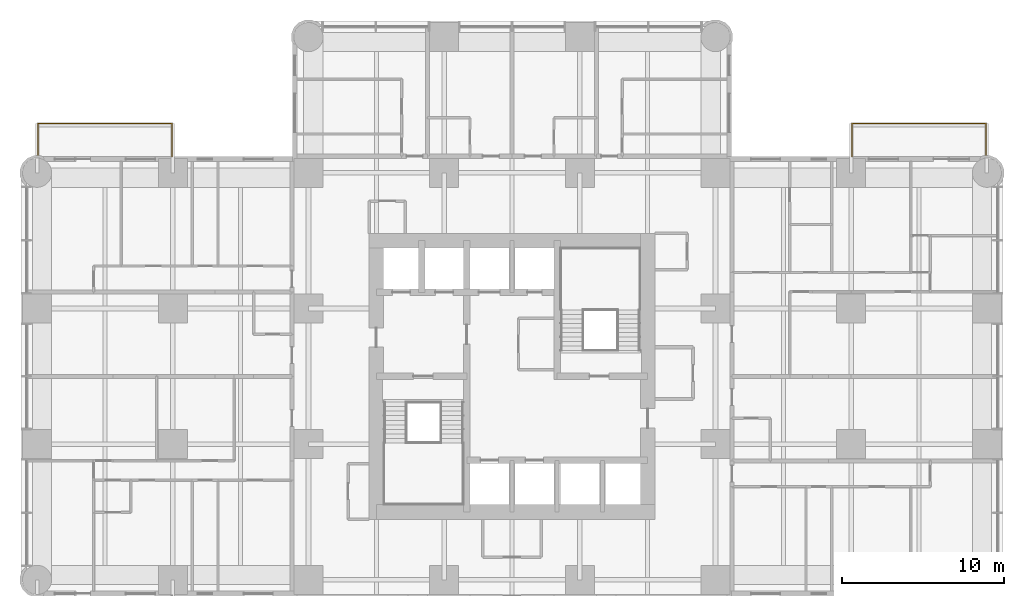
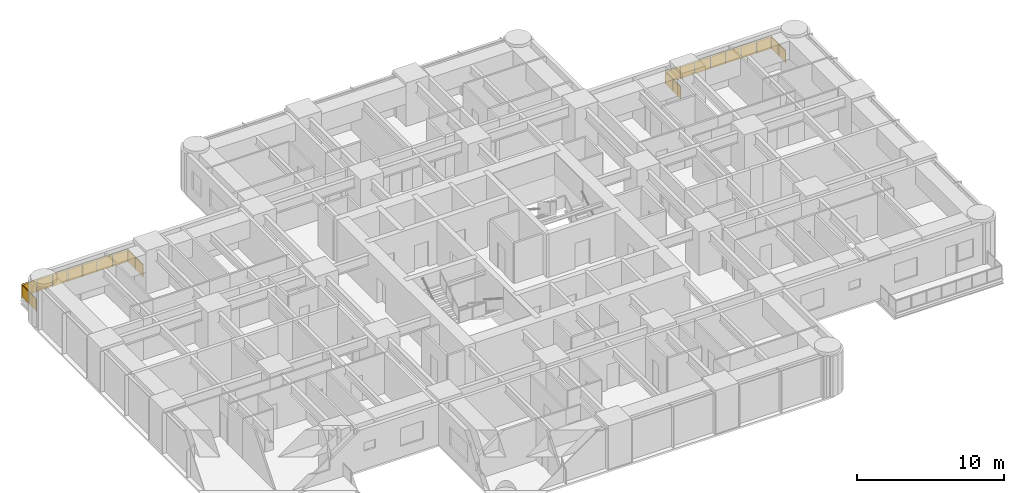
# One storey, part 14 of 14: 2 railings.
"""IFC4 building model written with IfcOpenShell, lengths in metres."""

from ifc_helpers import new_model, si_unit, direction, frame, origin, origin_2d, place, context, subcontext, project, spatial, polyline, circle, outline, extrude, material, constituent, constituent_set, type_object, element, save


model = new_model("IFC4")

# Units and contexts
model_context = context("Model", 3, precision=1e-05, world=origin(), true_north=direction((0.0, 1.0)))
body_context = subcontext(model_context, "Body", "Model", "MODEL_VIEW")
ifc_project = project(units=[si_unit("LENGTHUNIT", "METRE"), si_unit("AREAUNIT", "SQUARE_METRE"), si_unit("VOLUMEUNIT", "CUBIC_METRE"), si_unit("PLANEANGLEUNIT", "RADIAN"), si_unit("MASSUNIT", "GRAM", prefix="KILO")], contexts=[model_context])

# Site, building, storey
site_placement = place(None, origin())
site = spatial("IfcSite", under=ifc_project, at=site_placement, CompositionType="ELEMENT")
building_placement = place(site_placement, origin())
building = spatial("IfcBuilding", under=site, at=building_placement, Name="Torre Alcanfor", CompositionType="ELEMENT")
storey_placement = place(building_placement, frame((0.0, 0.0, 173.699951171875)))
storey = spatial("IfcBuildingStorey", under=building, at=storey_placement, Name="L45", CompositionType="ELEMENT", Elevation=173.699951171875)

# Railings
ifc_material_1 = material(Name="Laminated safety glass", Category="glass")
ifc_constituent_1 = constituent(ifc_material_1, Name="Infill")
ifc_material_2 = material(Name="Stainless steel ASTM A554 Grade MT 316L tube", Category="steel")
ifc_constituent_2 = constituent(ifc_material_2, Name="Posts and rail")
ifc_constituent_set = constituent_set(constituents=[ifc_constituent_1, ifc_constituent_2], Name="Balcony guard glass 1100")
railing_type = type_object("IfcRailingType", Name="Balcony guard glass 1100", PredefinedType="BALUSTRADE", material=ifc_constituent_set)
railing_1_placement = place(storey_placement, frame((50.449951171875, 43.0, 0.0)))
element("IfcRailing", 1, at=railing_1_placement, inside=storey, type_object=railing_type, Name="Balcony guard L45-E1", PredefinedType="BALUSTRADE", context=body_context, shape_type="SweptSolid", body=[
    extrude(circle(Radius=0.02392578125, at=origin_2d()), frame((0.0, 0.0, 1.076171875), z_axis=(0.0, 1.0, 0.0), x_axis=(-1.0, 0.0, 0.0)), (0.0, 0.0, 1.0), 2.050048828125),
    extrude(circle(Radius=0.02392578125, at=origin_2d()), frame((0.0, 2.050048828125, 1.076171875), z_axis=(1.0, 0.0, 0.0), x_axis=(0.0, 1.0, 0.0)), (0.0, 0.0, 1.0), 8.300048828125),
    extrude(circle(Radius=0.02392578125, at=origin_2d()), frame((8.300048828125, 2.050048828125, 1.076171875), z_axis=(0.0, -1.0, 0.0), x_axis=(1.0, 0.0, 0.0)), (0.0, 0.0, 1.0), 1.968994140625),
    extrude(circle(Radius=0.02099609375, at=origin_2d()), origin(), (0.0, 0.0, 1.0), 1.052001953125),
    extrude(circle(Radius=0.02099609375, at=origin_2d()), frame((0.0, 1.02490234375, 0.0)), (0.0, 0.0, 1.0), 1.052001953125),
    extrude(circle(Radius=0.02099609375, at=origin_2d()), frame((0.0, 2.050048828125, 0.0)), (0.0, 0.0, 1.0), 1.052001953125),
    extrude(circle(Radius=0.02099609375, at=origin_2d()), frame((1.185791015625, 2.050048828125, 0.0)), (0.0, 0.0, 1.0), 1.052001953125),
    extrude(circle(Radius=0.02099609375, at=origin_2d()), frame((2.371337890625, 2.050048828125, 0.0)), (0.0, 0.0, 1.0), 1.052001953125),
    extrude(circle(Radius=0.02099609375, at=origin_2d()), frame((3.55712890625, 2.050048828125, 0.0)), (0.0, 0.0, 1.0), 1.052001953125),
    extrude(circle(Radius=0.02099609375, at=origin_2d()), frame((4.742919921875, 2.050048828125, 0.0)), (0.0, 0.0, 1.0), 1.052001953125),
    extrude(circle(Radius=0.02099609375, at=origin_2d()), frame((5.9287109375, 2.050048828125, 0.0)), (0.0, 0.0, 1.0), 1.052001953125),
    extrude(circle(Radius=0.02099609375, at=origin_2d()), frame((7.1142578125, 2.050048828125, 0.0)), (0.0, 0.0, 1.0), 1.052001953125),
    extrude(circle(Radius=0.02099609375, at=origin_2d()), frame((8.300048828125, 2.050048828125, 0.0)), (0.0, 0.0, 1.0), 1.052001953125),
    extrude(circle(Radius=0.02099609375, at=origin_2d()), frame((8.300048828125, 1.0654296875, 0.0)), (0.0, 0.0, 1.0), 1.052001953125),
    extrude(circle(Radius=0.02099609375, at=origin_2d()), frame((8.300048828125, 0.0810546875, 0.0)), (0.0, 0.0, 1.0), 1.052001953125),
    extrude(outline(polyline([(0.041015625, 0.050048828125), (0.984130859375, 0.050048828125), (0.984130859375, 1.001953125), (0.041015625, 1.001953125), (0.041015625, 0.050048828125)])), frame((-0.005859375, 0.0, 0.0), z_axis=(1.0, 0.0, 0.0), x_axis=(0.0, 1.0, 0.0)), (0.0, 0.0, 1.0), 0.011962890625),
    extrude(outline(polyline([(1.06591796875, 0.050048828125), (2.009033203125, 0.050048828125), (2.009033203125, 1.001953125), (1.06591796875, 1.001953125), (1.06591796875, 0.050048828125)])), frame((-0.005859375, 0.0, 0.0), z_axis=(1.0, 0.0, 0.0), x_axis=(0.0, 1.0, 0.0)), (0.0, 0.0, 1.0), 0.011962890625),
    extrude(outline(polyline([(0.041015625, 0.050048828125), (1.144775390625, 0.050048828125), (1.144775390625, 1.001953125), (0.041015625, 1.001953125), (0.041015625, 0.050048828125)])), frame((0.0, 2.05615234375, 0.0), z_axis=(0.0, -1.0, 0.0), x_axis=(1.0, 0.0, 0.0)), (0.0, 0.0, 1.0), 0.011962890625),
    extrude(outline(polyline([(1.226806640625, 0.050048828125), (2.330322265625, 0.050048828125), (2.330322265625, 1.001953125), (1.226806640625, 1.001953125), (1.226806640625, 0.050048828125)])), frame((0.0, 2.05615234375, 0.0), z_axis=(0.0, -1.0, 0.0), x_axis=(1.0, 0.0, 0.0)), (0.0, 0.0, 1.0), 0.011962890625),
    extrude(outline(polyline([(2.412353515625, 0.050048828125), (3.51611328125, 0.050048828125), (3.51611328125, 1.001953125), (2.412353515625, 1.001953125), (2.412353515625, 0.050048828125)])), frame((0.0, 2.05615234375, 0.0), z_axis=(0.0, -1.0, 0.0), x_axis=(1.0, 0.0, 0.0)), (0.0, 0.0, 1.0), 0.011962890625),
    extrude(outline(polyline([(3.59814453125, 0.050048828125), (4.701904296875, 0.050048828125), (4.701904296875, 1.001953125), (3.59814453125, 1.001953125), (3.59814453125, 0.050048828125)])), frame((0.0, 2.05615234375, 0.0), z_axis=(0.0, -1.0, 0.0), x_axis=(1.0, 0.0, 0.0)), (0.0, 0.0, 1.0), 0.011962890625),
    extrude(outline(polyline([(4.783935546875, 0.050048828125), (5.8876953125, 0.050048828125), (5.8876953125, 1.001953125), (4.783935546875, 1.001953125), (4.783935546875, 0.050048828125)])), frame((0.0, 2.05615234375, 0.0), z_axis=(0.0, -1.0, 0.0), x_axis=(1.0, 0.0, 0.0)), (0.0, 0.0, 1.0), 0.011962890625),
    extrude(outline(polyline([(5.9697265625, 0.050048828125), (7.0732421875, 0.050048828125), (7.0732421875, 1.001953125), (5.9697265625, 1.001953125), (5.9697265625, 0.050048828125)])), frame((0.0, 2.05615234375, 0.0), z_axis=(0.0, -1.0, 0.0), x_axis=(1.0, 0.0, 0.0)), (0.0, 0.0, 1.0), 0.011962890625),
    extrude(outline(polyline([(7.1552734375, 0.050048828125), (8.259033203125, 0.050048828125), (8.259033203125, 1.001953125), (7.1552734375, 1.001953125), (7.1552734375, 0.050048828125)])), frame((0.0, 2.05615234375, 0.0), z_axis=(0.0, -1.0, 0.0), x_axis=(1.0, 0.0, 0.0)), (0.0, 0.0, 1.0), 0.011962890625),
    extrude(outline(polyline([(0.041015625, 0.050048828125), (0.943603515625, 0.050048828125), (0.943603515625, 1.001953125), (0.041015625, 1.001953125), (0.041015625, 0.050048828125)])), frame((8.30615234375, 2.050048828125, 0.0), z_axis=(-1.0, 0.0, 0.0), x_axis=(0.0, -1.0, 0.0)), (0.0, 0.0, 1.0), 0.011962890625),
    extrude(outline(polyline([(1.025390625, 0.050048828125), (1.927978515625, 0.050048828125), (1.927978515625, 1.001953125), (1.025390625, 1.001953125), (1.025390625, 0.050048828125)])), frame((8.30615234375, 2.050048828125, 0.0), z_axis=(-1.0, 0.0, 0.0), x_axis=(0.0, -1.0, 0.0)), (0.0, 0.0, 1.0), 0.011962890625),
])
railing_2_placement = place(storey_placement, frame((8.35009765625, 43.0, 0.0)))
element("IfcRailing", 2, at=railing_2_placement, inside=storey, type_object=railing_type, Name="Balcony guard L45-W2", PredefinedType="BALUSTRADE", context=body_context, shape_type="SweptSolid", body=[
    extrude(circle(Radius=0.02392578125, at=origin_2d()), frame((0.0, 0.0, 1.076171875), z_axis=(0.0, 1.0, 0.0), x_axis=(-1.0, 0.0, 0.0)), (0.0, 0.0, 1.0), 2.050048828125),
    extrude(circle(Radius=0.02392578125, at=origin_2d()), frame((0.0, 2.050048828125, 1.076171875), z_axis=(-1.0, 0.0, 0.0), x_axis=(0.0, -1.0, 0.0)), (0.0, 0.0, 1.0), 8.300048828125),
    extrude(circle(Radius=0.02392578125, at=origin_2d()), frame((-8.300048828125, 2.050048828125, 1.076171875), z_axis=(0.0, -1.0, 0.0), x_axis=(1.0, 0.0, 0.0)), (0.0, 0.0, 1.0), 1.968994140625),
    extrude(circle(Radius=0.02099609375, at=origin_2d()), origin(), (0.0, 0.0, 1.0), 1.052001953125),
    extrude(circle(Radius=0.02099609375, at=origin_2d()), frame((0.0, 1.02490234375, 0.0)), (0.0, 0.0, 1.0), 1.052001953125),
    extrude(circle(Radius=0.02099609375, at=origin_2d()), frame((0.0, 2.050048828125, 0.0)), (0.0, 0.0, 1.0), 1.052001953125),
    extrude(circle(Radius=0.02099609375, at=origin_2d()), frame((-1.185791015625, 2.050048828125, 0.0)), (0.0, 0.0, 1.0), 1.052001953125),
    extrude(circle(Radius=0.02099609375, at=origin_2d()), frame((-2.371337890625, 2.050048828125, 0.0)), (0.0, 0.0, 1.0), 1.052001953125),
    extrude(circle(Radius=0.02099609375, at=origin_2d()), frame((-3.55712890625, 2.050048828125, 0.0)), (0.0, 0.0, 1.0), 1.052001953125),
    extrude(circle(Radius=0.02099609375, at=origin_2d()), frame((-4.742919921875, 2.050048828125, 0.0)), (0.0, 0.0, 1.0), 1.052001953125),
    extrude(circle(Radius=0.02099609375, at=origin_2d()), frame((-5.9287109375, 2.050048828125, 0.0)), (0.0, 0.0, 1.0), 1.052001953125),
    extrude(circle(Radius=0.02099609375, at=origin_2d()), frame((-7.1142578125, 2.050048828125, 0.0)), (0.0, 0.0, 1.0), 1.052001953125),
    extrude(circle(Radius=0.02099609375, at=origin_2d()), frame((-8.300048828125, 2.050048828125, 0.0)), (0.0, 0.0, 1.0), 1.052001953125),
    extrude(circle(Radius=0.02099609375, at=origin_2d()), frame((-8.300048828125, 1.0654296875, 0.0)), (0.0, 0.0, 1.0), 1.052001953125),
    extrude(circle(Radius=0.02099609375, at=origin_2d()), frame((-8.300048828125, 0.0810546875, 0.0)), (0.0, 0.0, 1.0), 1.052001953125),
    extrude(outline(polyline([(0.041015625, 0.050048828125), (0.984130859375, 0.050048828125), (0.984130859375, 1.001953125), (0.041015625, 1.001953125), (0.041015625, 0.050048828125)])), frame((-0.005859375, 0.0, 0.0), z_axis=(1.0, 0.0, 0.0), x_axis=(0.0, 1.0, 0.0)), (0.0, 0.0, 1.0), 0.011962890625),
    extrude(outline(polyline([(1.06591796875, 0.050048828125), (2.009033203125, 0.050048828125), (2.009033203125, 1.001953125), (1.06591796875, 1.001953125), (1.06591796875, 0.050048828125)])), frame((-0.005859375, 0.0, 0.0), z_axis=(1.0, 0.0, 0.0), x_axis=(0.0, 1.0, 0.0)), (0.0, 0.0, 1.0), 0.011962890625),
    extrude(outline(polyline([(0.041015625, 0.050048828125), (1.144775390625, 0.050048828125), (1.144775390625, 1.001953125), (0.041015625, 1.001953125), (0.041015625, 0.050048828125)])), frame((0.0, 2.0439453125, 0.0), z_axis=(0.0, 1.0, 0.0), x_axis=(-1.0, 0.0, 0.0)), (0.0, 0.0, 1.0), 0.011962890625),
    extrude(outline(polyline([(1.226806640625, 0.050048828125), (2.330322265625, 0.050048828125), (2.330322265625, 1.001953125), (1.226806640625, 1.001953125), (1.226806640625, 0.050048828125)])), frame((0.0, 2.0439453125, 0.0), z_axis=(0.0, 1.0, 0.0), x_axis=(-1.0, 0.0, 0.0)), (0.0, 0.0, 1.0), 0.011962890625),
    extrude(outline(polyline([(2.412353515625, 0.050048828125), (3.51611328125, 0.050048828125), (3.51611328125, 1.001953125), (2.412353515625, 1.001953125), (2.412353515625, 0.050048828125)])), frame((0.0, 2.0439453125, 0.0), z_axis=(0.0, 1.0, 0.0), x_axis=(-1.0, 0.0, 0.0)), (0.0, 0.0, 1.0), 0.011962890625),
    extrude(outline(polyline([(3.59814453125, 0.050048828125), (4.701904296875, 0.050048828125), (4.701904296875, 1.001953125), (3.59814453125, 1.001953125), (3.59814453125, 0.050048828125)])), frame((0.0, 2.0439453125, 0.0), z_axis=(0.0, 1.0, 0.0), x_axis=(-1.0, 0.0, 0.0)), (0.0, 0.0, 1.0), 0.011962890625),
    extrude(outline(polyline([(4.783935546875, 0.050048828125), (5.8876953125, 0.050048828125), (5.8876953125, 1.001953125), (4.783935546875, 1.001953125), (4.783935546875, 0.050048828125)])), frame((0.0, 2.0439453125, 0.0), z_axis=(0.0, 1.0, 0.0), x_axis=(-1.0, 0.0, 0.0)), (0.0, 0.0, 1.0), 0.011962890625),
    extrude(outline(polyline([(5.9697265625, 0.050048828125), (7.0732421875, 0.050048828125), (7.0732421875, 1.001953125), (5.9697265625, 1.001953125), (5.9697265625, 0.050048828125)])), frame((0.0, 2.0439453125, 0.0), z_axis=(0.0, 1.0, 0.0), x_axis=(-1.0, 0.0, 0.0)), (0.0, 0.0, 1.0), 0.011962890625),
    extrude(outline(polyline([(7.1552734375, 0.050048828125), (8.259033203125, 0.050048828125), (8.259033203125, 1.001953125), (7.1552734375, 1.001953125), (7.1552734375, 0.050048828125)])), frame((0.0, 2.0439453125, 0.0), z_axis=(0.0, 1.0, 0.0), x_axis=(-1.0, 0.0, 0.0)), (0.0, 0.0, 1.0), 0.011962890625),
    extrude(outline(polyline([(0.041015625, 0.050048828125), (0.943603515625, 0.050048828125), (0.943603515625, 1.001953125), (0.041015625, 1.001953125), (0.041015625, 0.050048828125)])), frame((-8.2939453125, 2.050048828125, 0.0), z_axis=(-1.0, 0.0, 0.0), x_axis=(0.0, -1.0, 0.0)), (0.0, 0.0, 1.0), 0.011962890625),
    extrude(outline(polyline([(1.025390625, 0.050048828125), (1.927978515625, 0.050048828125), (1.927978515625, 1.001953125), (1.025390625, 1.001953125), (1.025390625, 0.050048828125)])), frame((-8.2939453125, 2.050048828125, 0.0), z_axis=(-1.0, 0.0, 0.0), x_axis=(0.0, -1.0, 0.0)), (0.0, 0.0, 1.0), 0.011962890625),
])

save(model, "model.ifc")
